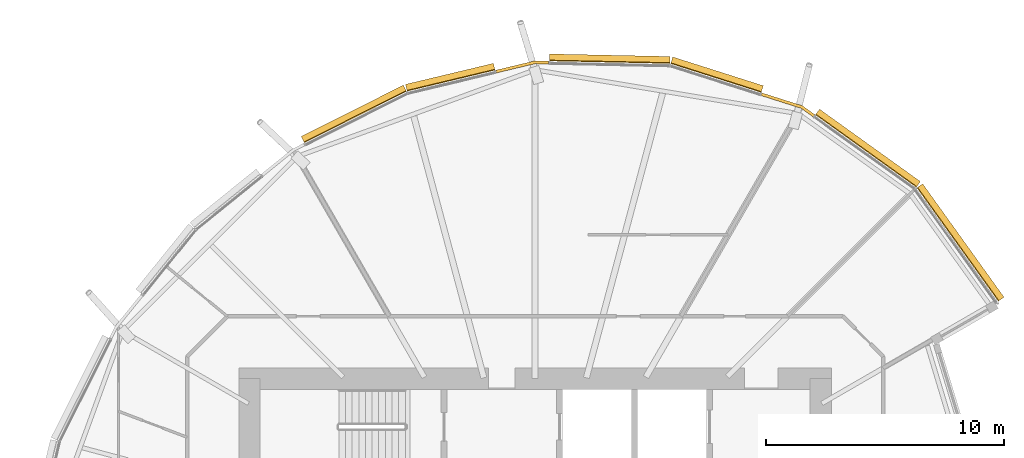
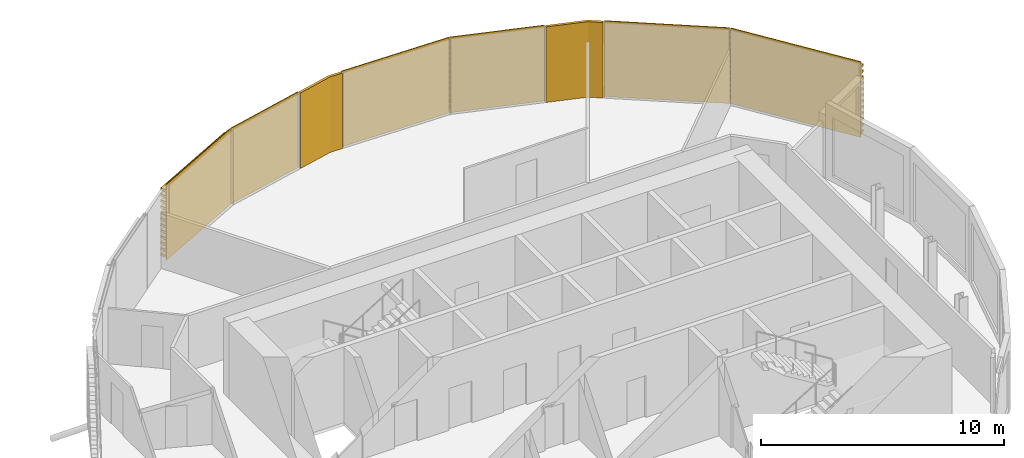
# One storey, part 37 of 37: 8 coverings.
"""IFC4 building model written with IfcOpenShell, lengths in metres."""

from ifc_helpers import new_model, si_unit, direction, frame, origin, place, context, subcontext, project, spatial, polyline, outline, extrude, material, layer, layer_set, material_profile, profile_set, type_object, element, save


model = new_model("IFC4")

# Units and contexts
model_context = context("Model", 3, precision=1e-05, world=origin(), true_north=direction((0.0, 1.0)))
body_context = subcontext(model_context, "Body", "Model", "MODEL_VIEW")
ifc_project = project(units=[si_unit("LENGTHUNIT", "METRE"), si_unit("AREAUNIT", "SQUARE_METRE"), si_unit("VOLUMEUNIT", "CUBIC_METRE"), si_unit("PLANEANGLEUNIT", "RADIAN"), si_unit("MASSUNIT", "GRAM", prefix="KILO")], contexts=[model_context])

# Site, building, storey
site_placement = place(None, origin())
site = spatial("IfcSite", under=ifc_project, at=site_placement, CompositionType="ELEMENT")
building_placement = place(site_placement, origin())
building = spatial("IfcBuilding", under=site, at=building_placement, Name="Rimbun Link Towers", CompositionType="ELEMENT")
storey_placement = place(building_placement, frame((0.0, 0.0, 45.199951171875)))
storey = spatial("IfcBuildingStorey", under=building, at=storey_placement, Name="L10", CompositionType="ELEMENT", Elevation=45.199951171875)

# Coverings
ifc_material_1 = material(Name="Terracotta", Category="masonry")
ifc_layer = layer(ifc_material_1, 0.1201171875)
ifc_layer_set = layer_set([ifc_layer], Name="LINK PIER terracotta cladding 120")
covering_type_1 = type_object("IfcCoveringType", Name="LINK PIER terracotta cladding 120", PredefinedType="CLADDING", material=ifc_layer_set)
covering_1_placement = place(storey_placement, origin())
element("IfcCovering", 1, at=covering_1_placement, inside=storey, type_object=covering_type_1, Name="LINK PIER cladding", PredefinedType="CLADDING", context=body_context, shape_type="SweptSolid", body=[
    extrude(outline(polyline([(41.2392578125, 19.89404296875), (42.926025390625, 19.357421875), (43.429931640625, 18.99609375), (43.499755859375, 19.093505859375), (42.980712890625, 19.466064453125), (41.275634765625, 20.00830078125), (41.2392578125, 19.89404296875)])), origin(), (0.0, 0.0, 1.0), 3.800048828125),
])
covering_2_placement = place(storey_placement, origin())
element("IfcCovering", 2, at=covering_2_placement, inside=storey, type_object=covering_type_1, Name="LINK PIER cladding", PredefinedType="CLADDING", context=body_context, shape_type="SweptSolid", body=[
    extrude(outline(polyline([(30.125732421875, 20.843505859375), (31.75, 21.23193359375), (32.31982421875, 21.219970703125), (32.322509765625, 21.33984375), (31.737060546875, 21.352294921875), (30.097900390625, 20.960205078125), (30.125732421875, 20.843505859375)])), origin(), (0.0, 0.0, 1.0), 3.800048828125),
])
ifc_material_2 = material(Name="Terracotta", Category="masonry")
ifc_material_profile = material_profile(ifc_material_2, outline(polyline([(0.123046875, 0.0), (0.1630859375, 0.0), (0.1630859375, 0.10009765625), (0.423095703125, 0.10009765625), (0.423095703125, 0.219970703125), (0.1630859375, 0.219970703125), (0.1630859375, 0.39990234375), (0.423095703125, 0.39990234375), (0.423095703125, 0.52001953125), (0.1630859375, 0.52001953125), (0.1630859375, 0.699951171875), (0.423095703125, 0.699951171875), (0.423095703125, 0.820068359375), (0.1630859375, 0.820068359375), (0.1630859375, 1.0), (0.423095703125, 1.0), (0.423095703125, 1.1201171875), (0.1630859375, 1.1201171875), (0.1630859375, 1.300048828125), (0.423095703125, 1.300048828125), (0.423095703125, 1.419921875), (0.1630859375, 1.419921875), (0.1630859375, 1.60009765625), (0.423095703125, 1.60009765625), (0.423095703125, 1.719970703125), (0.1630859375, 1.719970703125), (0.1630859375, 1.89990234375), (0.423095703125, 1.89990234375), (0.423095703125, 2.02001953125), (0.1630859375, 2.02001953125), (0.1630859375, 2.199951171875), (0.423095703125, 2.199951171875), (0.423095703125, 2.320068359375), (0.1630859375, 2.320068359375), (0.1630859375, 2.5), (0.423095703125, 2.5), (0.423095703125, 2.6201171875), (0.1630859375, 2.6201171875), (0.1630859375, 2.800048828125), (0.423095703125, 2.800048828125), (0.423095703125, 2.919921875), (0.1630859375, 2.919921875), (0.1630859375, 3.10009765625), (0.423095703125, 3.10009765625), (0.423095703125, 3.219970703125), (0.1630859375, 3.219970703125), (0.1630859375, 3.39990234375), (0.423095703125, 3.39990234375), (0.423095703125, 3.52001953125), (0.1630859375, 3.52001953125), (0.1630859375, 3.800048828125), (0.123046875, 3.800048828125), (0.123046875, 0.0)])), Name="BAGUETTE 120X300")
ifc_profile_set = profile_set([ifc_material_profile], Name="Terracotta")
covering_type_2 = type_object("IfcCoveringType", Name="TERRACOTTA BAGUETTE 120X300 H3800", PredefinedType="CLADDING", material=ifc_profile_set)
covering_3_placement = place(storey_placement, frame((43.4541015625, 18.978515625, 0.0), z_axis=(0.812478450644, -0.582991223981, 0.0), x_axis=(0.582991223981, 0.812478450644, 0.0)))
element("IfcCovering", 3, at=covering_3_placement, inside=storey, type_object=covering_type_2, Name="TERRACOTTA BAGUETTE", PredefinedType="CLADDING", context=body_context, shape_type="SweptSolid", body=[
    extrude(outline(polyline([(0.123046875, 0.0), (0.1630859375, 0.0), (0.1630859375, 0.10009765625), (0.423095703125, 0.10009765625), (0.423095703125, 0.219970703125), (0.1630859375, 0.219970703125), (0.1630859375, 0.39990234375), (0.423095703125, 0.39990234375), (0.423095703125, 0.52001953125), (0.1630859375, 0.52001953125), (0.1630859375, 0.699951171875), (0.423095703125, 0.699951171875), (0.423095703125, 0.820068359375), (0.1630859375, 0.820068359375), (0.1630859375, 1.0), (0.423095703125, 1.0), (0.423095703125, 1.1201171875), (0.1630859375, 1.1201171875), (0.1630859375, 1.300048828125), (0.423095703125, 1.300048828125), (0.423095703125, 1.419921875), (0.1630859375, 1.419921875), (0.1630859375, 1.60009765625), (0.423095703125, 1.60009765625), (0.423095703125, 1.719970703125), (0.1630859375, 1.719970703125), (0.1630859375, 1.89990234375), (0.423095703125, 1.89990234375), (0.423095703125, 2.02001953125), (0.1630859375, 2.02001953125), (0.1630859375, 2.199951171875), (0.423095703125, 2.199951171875), (0.423095703125, 2.320068359375), (0.1630859375, 2.320068359375), (0.1630859375, 2.5), (0.423095703125, 2.5), (0.423095703125, 2.6201171875), (0.1630859375, 2.6201171875), (0.1630859375, 2.800048828125), (0.423095703125, 2.800048828125), (0.423095703125, 2.919921875), (0.1630859375, 2.919921875), (0.1630859375, 3.10009765625), (0.423095703125, 3.10009765625), (0.423095703125, 3.219970703125), (0.1630859375, 3.219970703125), (0.1630859375, 3.39990234375), (0.423095703125, 3.39990234375), (0.423095703125, 3.52001953125), (0.1630859375, 3.52001953125), (0.1630859375, 3.800048828125), (0.123046875, 3.800048828125), (0.123046875, 0.0)])), origin(), (0.0, 0.0, 1.0), 5.212890625),
])
covering_4_placement = place(storey_placement, frame((37.406982421875, 21.11279296875, 0.0), z_axis=(0.952965936929, -0.303077420891, 0.0), x_axis=(0.303077420891, 0.952965936929, 0.0)))
element("IfcCovering", 4, at=covering_4_placement, inside=storey, type_object=covering_type_2, Name="TERRACOTTA BAGUETTE", PredefinedType="CLADDING", context=body_context, shape_type="SweptSolid", body=[
    extrude(outline(polyline([(0.123046875, 0.0), (0.1630859375, 0.0), (0.1630859375, 0.10009765625), (0.423095703125, 0.10009765625), (0.423095703125, 0.219970703125), (0.1630859375, 0.219970703125), (0.1630859375, 0.39990234375), (0.423095703125, 0.39990234375), (0.423095703125, 0.52001953125), (0.1630859375, 0.52001953125), (0.1630859375, 0.699951171875), (0.423095703125, 0.699951171875), (0.423095703125, 0.820068359375), (0.1630859375, 0.820068359375), (0.1630859375, 1.0), (0.423095703125, 1.0), (0.423095703125, 1.1201171875), (0.1630859375, 1.1201171875), (0.1630859375, 1.300048828125), (0.423095703125, 1.300048828125), (0.423095703125, 1.419921875), (0.1630859375, 1.419921875), (0.1630859375, 1.60009765625), (0.423095703125, 1.60009765625), (0.423095703125, 1.719970703125), (0.1630859375, 1.719970703125), (0.1630859375, 1.89990234375), (0.423095703125, 1.89990234375), (0.423095703125, 2.02001953125), (0.1630859375, 2.02001953125), (0.1630859375, 2.199951171875), (0.423095703125, 2.199951171875), (0.423095703125, 2.320068359375), (0.1630859375, 2.320068359375), (0.1630859375, 2.5), (0.423095703125, 2.5), (0.423095703125, 2.6201171875), (0.1630859375, 2.6201171875), (0.1630859375, 2.800048828125), (0.423095703125, 2.800048828125), (0.423095703125, 2.919921875), (0.1630859375, 2.919921875), (0.1630859375, 3.10009765625), (0.423095703125, 3.10009765625), (0.423095703125, 3.219970703125), (0.1630859375, 3.219970703125), (0.1630859375, 3.39990234375), (0.423095703125, 3.39990234375), (0.423095703125, 3.52001953125), (0.1630859375, 3.52001953125), (0.1630859375, 3.800048828125), (0.123046875, 3.800048828125), (0.123046875, 0.0)])), origin(), (0.0, 0.0, 1.0), 3.991455078125),
])
covering_5_placement = place(storey_placement, frame((32.349853515625, 21.21923828125, 0.0), z_axis=(0.999778552511, -0.021043905035, 0.0), x_axis=(0.021043905035, 0.999778552511, 0.0)))
element("IfcCovering", 5, at=covering_5_placement, inside=storey, type_object=covering_type_2, Name="TERRACOTTA BAGUETTE", PredefinedType="CLADDING", context=body_context, shape_type="SweptSolid", body=[
    extrude(outline(polyline([(0.123046875, 0.0), (0.1630859375, 0.0), (0.1630859375, 0.10009765625), (0.423095703125, 0.10009765625), (0.423095703125, 0.219970703125), (0.1630859375, 0.219970703125), (0.1630859375, 0.39990234375), (0.423095703125, 0.39990234375), (0.423095703125, 0.52001953125), (0.1630859375, 0.52001953125), (0.1630859375, 0.699951171875), (0.423095703125, 0.699951171875), (0.423095703125, 0.820068359375), (0.1630859375, 0.820068359375), (0.1630859375, 1.0), (0.423095703125, 1.0), (0.423095703125, 1.1201171875), (0.1630859375, 1.1201171875), (0.1630859375, 1.300048828125), (0.423095703125, 1.300048828125), (0.423095703125, 1.419921875), (0.1630859375, 1.419921875), (0.1630859375, 1.60009765625), (0.423095703125, 1.60009765625), (0.423095703125, 1.719970703125), (0.1630859375, 1.719970703125), (0.1630859375, 1.89990234375), (0.423095703125, 1.89990234375), (0.423095703125, 2.02001953125), (0.1630859375, 2.02001953125), (0.1630859375, 2.199951171875), (0.423095703125, 2.199951171875), (0.423095703125, 2.320068359375), (0.1630859375, 2.320068359375), (0.1630859375, 2.5), (0.423095703125, 2.5), (0.423095703125, 2.6201171875), (0.1630859375, 2.6201171875), (0.1630859375, 2.800048828125), (0.423095703125, 2.800048828125), (0.423095703125, 2.919921875), (0.1630859375, 2.919921875), (0.1630859375, 3.10009765625), (0.423095703125, 3.10009765625), (0.423095703125, 3.219970703125), (0.1630859375, 3.219970703125), (0.1630859375, 3.39990234375), (0.423095703125, 3.39990234375), (0.423095703125, 3.52001953125), (0.1630859375, 3.52001953125), (0.1630859375, 3.800048828125), (0.123046875, 3.800048828125), (0.123046875, 0.0)])), origin(), (0.0, 0.0, 1.0), 5.058349609375),
])
covering_6_placement = place(storey_placement, frame((26.403564453125, 19.953125, 0.0), z_axis=(0.972569090114, 0.232614197662, 0.0), x_axis=(-0.232614197662, 0.972569090114, 0.0)))
element("IfcCovering", 6, at=covering_6_placement, inside=storey, type_object=covering_type_2, Name="TERRACOTTA BAGUETTE", PredefinedType="CLADDING", context=body_context, shape_type="SweptSolid", body=[
    extrude(outline(polyline([(0.123046875, 0.0), (0.1630859375, 0.0), (0.1630859375, 0.10009765625), (0.423095703125, 0.10009765625), (0.423095703125, 0.219970703125), (0.1630859375, 0.219970703125), (0.1630859375, 0.39990234375), (0.423095703125, 0.39990234375), (0.423095703125, 0.52001953125), (0.1630859375, 0.52001953125), (0.1630859375, 0.699951171875), (0.423095703125, 0.699951171875), (0.423095703125, 0.820068359375), (0.1630859375, 0.820068359375), (0.1630859375, 1.0), (0.423095703125, 1.0), (0.423095703125, 1.1201171875), (0.1630859375, 1.1201171875), (0.1630859375, 1.300048828125), (0.423095703125, 1.300048828125), (0.423095703125, 1.419921875), (0.1630859375, 1.419921875), (0.1630859375, 1.60009765625), (0.423095703125, 1.60009765625), (0.423095703125, 1.719970703125), (0.1630859375, 1.719970703125), (0.1630859375, 1.89990234375), (0.423095703125, 1.89990234375), (0.423095703125, 2.02001953125), (0.1630859375, 2.02001953125), (0.1630859375, 2.199951171875), (0.423095703125, 2.199951171875), (0.423095703125, 2.320068359375), (0.1630859375, 2.320068359375), (0.1630859375, 2.5), (0.423095703125, 2.5), (0.423095703125, 2.6201171875), (0.1630859375, 2.6201171875), (0.1630859375, 2.800048828125), (0.423095703125, 2.800048828125), (0.423095703125, 2.919921875), (0.1630859375, 2.919921875), (0.1630859375, 3.10009765625), (0.423095703125, 3.10009765625), (0.423095703125, 3.219970703125), (0.1630859375, 3.219970703125), (0.1630859375, 3.39990234375), (0.423095703125, 3.39990234375), (0.423095703125, 3.52001953125), (0.1630859375, 3.52001953125), (0.1630859375, 3.800048828125), (0.123046875, 3.800048828125), (0.123046875, 0.0)])), origin(), (0.0, 0.0, 1.0), 3.79736328125),
])
covering_7_placement = place(storey_placement, frame((22.109130859375, 17.796630859375, 0.0), z_axis=(0.893653627006, 0.448757389843, 0.0), x_axis=(-0.448757389843, 0.893653627006, 0.0)))
element("IfcCovering", 7, at=covering_7_placement, inside=storey, type_object=covering_type_2, Name="TERRACOTTA BAGUETTE", PredefinedType="CLADDING", context=body_context, shape_type="SweptSolid", body=[
    extrude(outline(polyline([(0.123046875, 0.0), (0.1630859375, 0.0), (0.1630859375, 0.10009765625), (0.423095703125, 0.10009765625), (0.423095703125, 0.219970703125), (0.1630859375, 0.219970703125), (0.1630859375, 0.39990234375), (0.423095703125, 0.39990234375), (0.423095703125, 0.52001953125), (0.1630859375, 0.52001953125), (0.1630859375, 0.699951171875), (0.423095703125, 0.699951171875), (0.423095703125, 0.820068359375), (0.1630859375, 0.820068359375), (0.1630859375, 1.0), (0.423095703125, 1.0), (0.423095703125, 1.1201171875), (0.1630859375, 1.1201171875), (0.1630859375, 1.300048828125), (0.423095703125, 1.300048828125), (0.423095703125, 1.419921875), (0.1630859375, 1.419921875), (0.1630859375, 1.60009765625), (0.423095703125, 1.60009765625), (0.423095703125, 1.719970703125), (0.1630859375, 1.719970703125), (0.1630859375, 1.89990234375), (0.423095703125, 1.89990234375), (0.423095703125, 2.02001953125), (0.1630859375, 2.02001953125), (0.1630859375, 2.199951171875), (0.423095703125, 2.199951171875), (0.423095703125, 2.320068359375), (0.1630859375, 2.320068359375), (0.1630859375, 2.5), (0.423095703125, 2.5), (0.423095703125, 2.6201171875), (0.1630859375, 2.6201171875), (0.1630859375, 2.800048828125), (0.423095703125, 2.800048828125), (0.423095703125, 2.919921875), (0.1630859375, 2.919921875), (0.1630859375, 3.10009765625), (0.423095703125, 3.10009765625), (0.423095703125, 3.219970703125), (0.1630859375, 3.219970703125), (0.1630859375, 3.39990234375), (0.423095703125, 3.39990234375), (0.423095703125, 3.52001953125), (0.1630859375, 3.52001953125), (0.1630859375, 3.800048828125), (0.123046875, 3.800048828125), (0.123046875, 0.0)])), origin(), (0.0, 0.0, 1.0), 4.805419921875),
])
covering_8_placement = place(storey_placement, frame((47.689453125, 15.939453125, 0.0), z_axis=(0.582989753513, -0.812479505771, 0.0), x_axis=(0.812479505771, 0.582989753513, 0.0)))
element("IfcCovering", 8, at=covering_8_placement, inside=storey, type_object=covering_type_2, Name="TERRACOTTA BAGUETTE", PredefinedType="CLADDING", context=body_context, shape_type="SweptSolid", body=[
    extrude(outline(polyline([(0.123046875, 0.0), (0.1630859375, 0.0), (0.1630859375, 0.10009765625), (0.423095703125, 0.10009765625), (0.423095703125, 0.219970703125), (0.1630859375, 0.219970703125), (0.1630859375, 0.39990234375), (0.423095703125, 0.39990234375), (0.423095703125, 0.52001953125), (0.1630859375, 0.52001953125), (0.1630859375, 0.699951171875), (0.423095703125, 0.699951171875), (0.423095703125, 0.820068359375), (0.1630859375, 0.820068359375), (0.1630859375, 1.0), (0.423095703125, 1.0), (0.423095703125, 1.1201171875), (0.1630859375, 1.1201171875), (0.1630859375, 1.300048828125), (0.423095703125, 1.300048828125), (0.423095703125, 1.419921875), (0.1630859375, 1.419921875), (0.1630859375, 1.60009765625), (0.423095703125, 1.60009765625), (0.423095703125, 1.719970703125), (0.1630859375, 1.719970703125), (0.1630859375, 1.89990234375), (0.423095703125, 1.89990234375), (0.423095703125, 2.02001953125), (0.1630859375, 2.02001953125), (0.1630859375, 2.199951171875), (0.423095703125, 2.199951171875), (0.423095703125, 2.320068359375), (0.1630859375, 2.320068359375), (0.1630859375, 2.5), (0.423095703125, 2.5), (0.423095703125, 2.6201171875), (0.1630859375, 2.6201171875), (0.1630859375, 2.800048828125), (0.423095703125, 2.800048828125), (0.423095703125, 2.919921875), (0.1630859375, 2.919921875), (0.1630859375, 3.10009765625), (0.423095703125, 3.10009765625), (0.423095703125, 3.219970703125), (0.1630859375, 3.219970703125), (0.1630859375, 3.39990234375), (0.423095703125, 3.39990234375), (0.423095703125, 3.52001953125), (0.1630859375, 3.52001953125), (0.1630859375, 3.800048828125), (0.123046875, 3.800048828125), (0.123046875, 0.0)])), origin(), (0.0, 0.0, 1.0), 5.86279296875),
])

save(model, "model.ifc")
